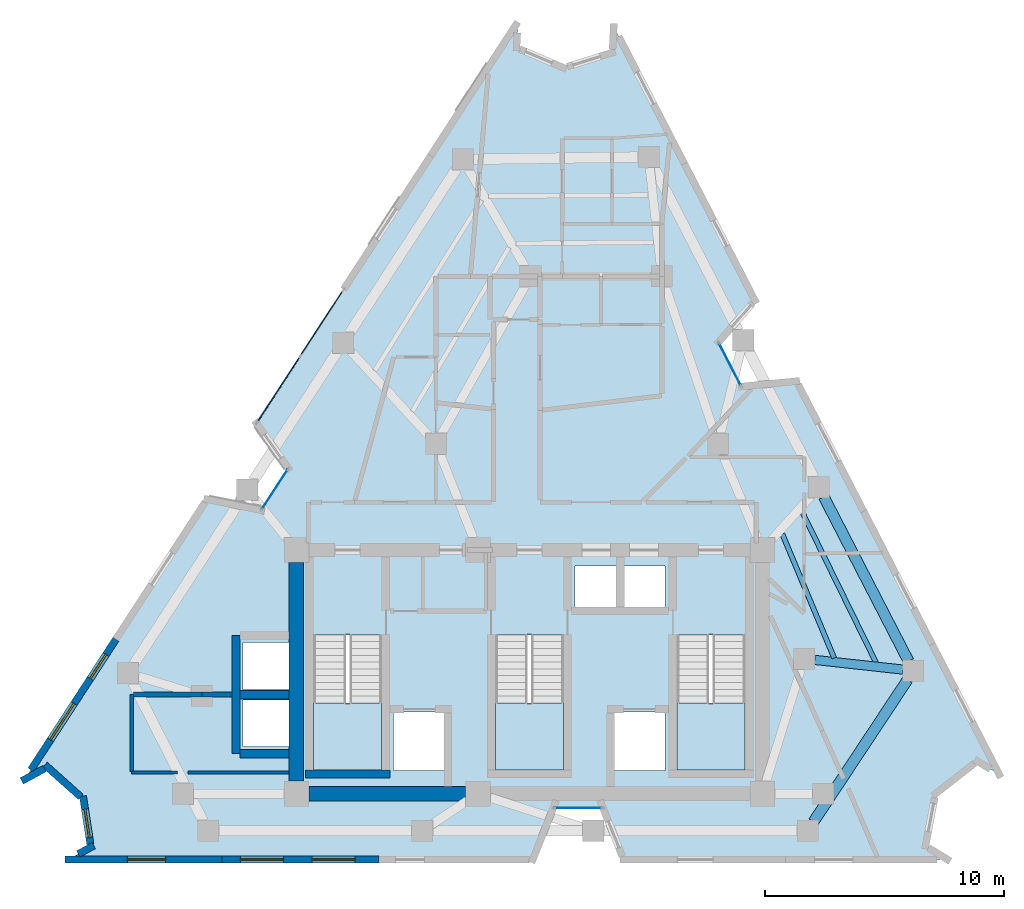
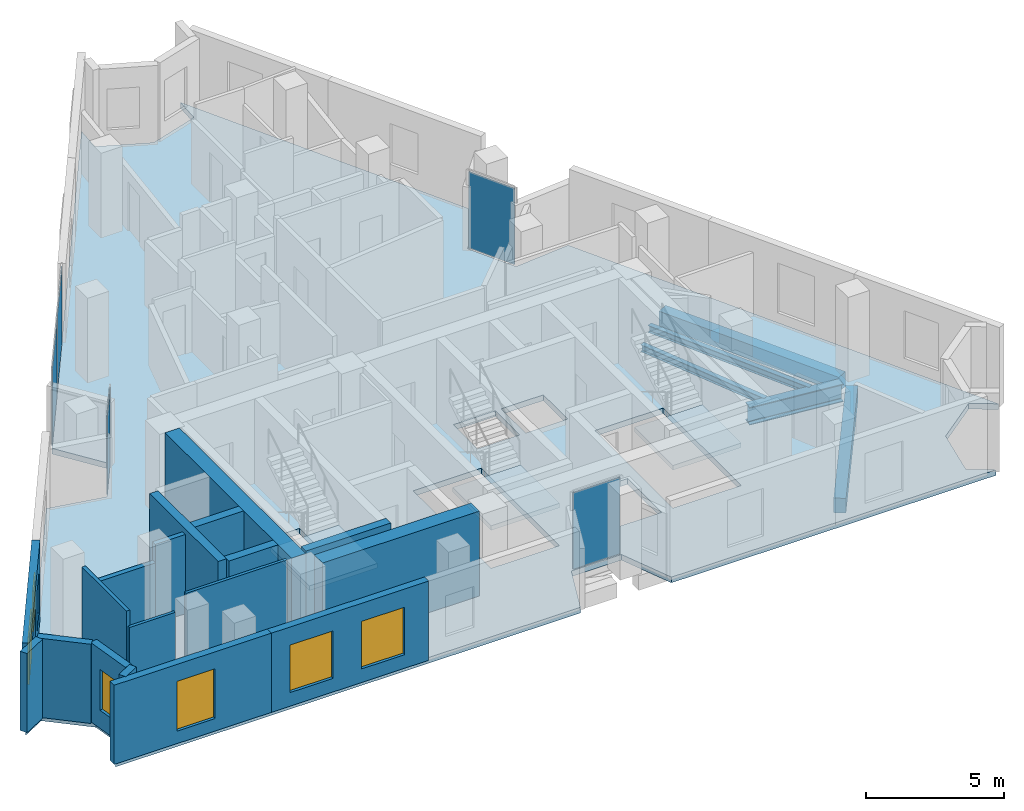
# One storey, part 4 of 9: 18 walls, 6 windows, 5 beams, 5 plates, 4 slabs, 6 openings, 7 elements without a shape of their own.
"""IFC4 building model written with IfcOpenShell, lengths in metres."""

from ifc_helpers import new_model, si_unit, direction, frame, frame_2d, origin, origin_2d, place, context, subcontext, project, spatial, polyline, rectangle, i_section, outline, extrude, material, layer, layer_set, material_profile, profile_set, type_object, element, fill, aggregate, save


model = new_model("IFC4")

# Units and contexts
model_context = context("Model", 3, precision=1e-05, world=origin(), true_north=direction((0.0, 1.0)))
body_context = subcontext(model_context, "Body", "Model", "MODEL_VIEW")
ifc_project = project(units=[si_unit("LENGTHUNIT", "METRE"), si_unit("AREAUNIT", "SQUARE_METRE"), si_unit("VOLUMEUNIT", "CUBIC_METRE"), si_unit("PLANEANGLEUNIT", "RADIAN"), si_unit("MASSUNIT", "GRAM", prefix="KILO")], contexts=[model_context])

# Site, building, storey
site_placement = place(None, origin())
site = spatial("IfcSite", under=ifc_project, at=site_placement, CompositionType="ELEMENT")
building_placement = place(site_placement, origin())
building = spatial("IfcBuilding", under=site, at=building_placement, Name="Almagre Mirador Tower", CompositionType="ELEMENT")
storey_placement = place(building_placement, frame((0.0, 0.0, 214.5)))
storey = spatial("IfcBuildingStorey", under=building, at=storey_placement, Name="L55", CompositionType="ELEMENT", Elevation=214.5)

# Beams
ifc_material_1 = material(Name="Steel ASTM A992 Grade 50", Category="steel")
ifc_material_profile_1 = material_profile(ifc_material_1, i_section(OverallWidth=0.205078125, OverallDepth=0.31005859375, WebThickness=0.009521484375, FlangeThickness=0.016357421875, FilletRadius=0.013916015625, at=origin_2d()), Name="W12X50")
ifc_profile_set_1 = profile_set([ifc_material_profile_1], Name="Steel ASTM A992 Grade 50")
beam_type_1 = type_object("IfcBeamType", Name="BM-JST-W12X50", PredefinedType="JOIST", material=ifc_profile_set_1)
beam_1_placement = place(storey_placement, frame((51.814208984375, 10.032470703125, -0.405029296875), z_axis=(-0.440499526786, 0.897752842881, 0.0), x_axis=(-0.897752842881, -0.440499526786, 0.0)))
element("IfcBeam", 1, at=beam_1_placement, inside=storey, type_object=beam_type_1, Name="L55 secondary floor joist PC05-PC06.1", PredefinedType="JOIST", context=body_context, shape_type="SweptSolid", body=[
    extrude(i_section(OverallWidth=0.205078125, OverallDepth=0.31005859375, WebThickness=0.009521484375, FlangeThickness=0.016357421875, FilletRadius=0.013916015625, at=origin_2d()), origin(), (0.0, 0.0, 1.0), 7.02392578125),
])
beam_2_placement = place(storey_placement, frame((50.056884765625, 10.231201171875, -0.405029296875), z_axis=(-0.38582023775, 0.922573977599, 0.0), x_axis=(-0.922573977599, -0.38582023775, 0.0)))
element("IfcBeam", 2, at=beam_2_placement, inside=storey, type_object=beam_type_1, Name="L55 secondary floor joist PC05-PC06.3", PredefinedType="JOIST", context=body_context, shape_type="SweptSolid", body=[
    extrude(i_section(OverallWidth=0.205078125, OverallDepth=0.31005859375, WebThickness=0.009521484375, FlangeThickness=0.016357421875, FilletRadius=0.013916015625, at=origin_2d()), origin(), (0.0, 0.0, 1.0), 5.624267578125),
])
ifc_material_2 = material(Name="Precast concrete C50/60", Category="concrete")
ifc_material_profile_2 = material_profile(ifc_material_2, rectangle(XDim=0.449951171875, YDim=0.64990234375, at=origin_2d()), Name="RC450X650")
ifc_profile_set_2 = profile_set([ifc_material_profile_2], Name="Precast concrete C50/60")
beam_type_2 = type_object("IfcBeamType", Name="BM-SPN-RC450X650", PredefinedType="SPANDREL", material=ifc_profile_set_2)
beam_3_placement = place(storey_placement, frame((49.1923828125, 3.375244140625, -0.574951171875), z_axis=(0.551908560309, 0.83390463547, 0.0), x_axis=(-0.83390463547, 0.551908560309, 0.0)))
element("IfcBeam", 3, at=beam_3_placement, inside=storey, type_object=beam_type_2, Name="L55 perimeter spandrel beam PC04-PC05", PredefinedType="SPANDREL", context=body_context, shape_type="SweptSolid", body=[
    extrude(rectangle(XDim=0.449951171875, YDim=0.64990234375, at=origin_2d()), origin(), (0.0, 0.0, 1.0), 7.132080078125),
])
beam_4_placement = place(storey_placement, frame((53.1708984375, 10.097900390625, -0.574951171875), z_axis=(-0.45829341544, 0.888800959363, 0.0), x_axis=(-0.888800959363, -0.45829341544, 0.0)))
element("IfcBeam", 4, at=beam_4_placement, inside=storey, type_object=beam_type_2, Name="L55 perimeter spandrel beam PC05-PC06", PredefinedType="SPANDREL", context=body_context, shape_type="SweptSolid", body=[
    extrude(rectangle(XDim=0.449951171875, YDim=0.64990234375, at=origin_2d()), origin(), (0.0, 0.0, 1.0), 7.740966796875),
])
ifc_material_3 = material(Name="Steel ASTM A992 Grade 50", Category="steel")
ifc_material_profile_3 = material_profile(ifc_material_3, i_section(OverallWidth=0.384033203125, OverallDepth=0.784912109375, WebThickness=0.019775390625, FlangeThickness=0.033447265625, FilletRadius=0.02392578125, at=origin_2d()), Name="W30X211")
ifc_profile_set_3 = profile_set([ifc_material_profile_3], Name="Steel ASTM A992 Grade 50")
beam_type_3 = type_object("IfcBeamType", Name="BM-STL-W30X211", PredefinedType="BEAM", material=ifc_profile_set_3)
beam_5_placement = place(storey_placement, frame((52.9296875, 9.7470703125, -0.642578125), z_axis=(-0.994041045224, 0.109006423709, 0.0), x_axis=(-0.109006423709, -0.994041045224, 0.0)))
element("IfcBeam", 5, at=beam_5_placement, inside=storey, type_object=beam_type_3, Name="L55 radial floor girder PC05-MC3", PredefinedType="BEAM", context=body_context, shape_type="SweptSolid", body=[
    extrude(i_section(OverallWidth=0.384033203125, OverallDepth=0.784912109375, WebThickness=0.019775390625, FlangeThickness=0.033447265625, FilletRadius=0.02392578125, at=origin_2d()), origin(), (0.0, 0.0, 1.0), 3.704345703125),
])

# Curtain wall, plate
ifc_material_4 = material(Name="Black anodized aluminium", Category="aluminium")
ifc_layer_1 = layer(ifc_material_4, 0.169921875)
ifc_layer_set_1 = layer_set([ifc_layer_1], Name="Black anodized aluminium")
curtain_wall_type_1 = type_object("IfcCurtainWallType", Name="CW-CRS-SYS", PredefinedType="NOTDEFINED", material=ifc_layer_set_1)
curtain_wall_1_placement = place(storey_placement, origin())
curtain_wall_1 = element("IfcCurtainWall", 6, at=curtain_wall_1_placement, inside=storey, type_object=curtain_wall_type_1, Name="L55 vertical crease curtain wall 01", PredefinedType="NOTDEFINED")
ifc_material_5 = material(Name="Dark solar-control laminated hurricane glass", Category="glass")
ifc_layer_2 = layer(ifc_material_5, 0.028076171875)
ifc_layer_set_2 = layer_set([ifc_layer_2], Name="Dark solar-control laminated hurricane glass")
plate_type_1 = type_object("IfcPlateType", Name="PLT-GLZ-28", PredefinedType="CURTAIN_PANEL", material=ifc_layer_set_2)
plate_1_placement = place(storey_placement, frame((26.65087890625, 17.29150390625, 0.06005859375), z_axis=(0.0, 0.0, 1.0), x_axis=(0.545610640334, 0.838038799313, 0.0)))
plate_1 = element("IfcPlate", 7, at=plate_1_placement, type_object=plate_type_1, Name="CW-4 panel 1.1", PredefinedType="CURTAIN_PANEL", context=body_context, shape_type="SweptSolid", body=[
    extrude(rectangle(XDim=1.969482421875, YDim=0.028076171875, at=origin_2d()), origin(), (0.0, 0.0, 1.0), 3.3798828125),
])
aggregate(curtain_wall_1, [plate_1])

curtain_wall_2_placement = place(storey_placement, origin())
curtain_wall_2 = element("IfcCurtainWall", 8, at=curtain_wall_2_placement, inside=storey, type_object=curtain_wall_type_1, Name="L55 vertical crease curtain wall 03", PredefinedType="NOTDEFINED")
plate_2_placement = place(storey_placement, frame((45.697998046875, 22.51806640625, 0.06005859375), z_axis=(0.0, 0.0, 1.0), x_axis=(0.458277323858, -0.888809256499, 0.0)))
plate_2 = element("IfcPlate", 9, at=plate_2_placement, type_object=plate_type_1, Name="CW-4 panel 1.1", PredefinedType="CURTAIN_PANEL", context=body_context, shape_type="SweptSolid", body=[
    extrude(rectangle(XDim=1.970458984375, YDim=0.028076171875, at=origin_2d()), origin(), (0.0, 0.0, 1.0), 3.3798828125),
])
aggregate(curtain_wall_2, [plate_2])

curtain_wall_3_placement = place(storey_placement, origin())
curtain_wall_3 = element("IfcCurtainWall", 10, at=curtain_wall_3_placement, inside=storey, type_object=curtain_wall_type_1, Name="L55 vertical crease curtain wall 04", PredefinedType="NOTDEFINED")
plate_3_placement = place(storey_placement, frame((39.343994140625, 3.949951171875, 0.06005859375), z_axis=(0.0, 0.0, 1.0), x_axis=(-1.0, 0.0, 0.0)))
plate_3 = element("IfcPlate", 11, at=plate_3_placement, type_object=plate_type_1, Name="CW-4 panel 1.1", PredefinedType="CURTAIN_PANEL", context=body_context, shape_type="SweptSolid", body=[
    extrude(rectangle(XDim=1.969970703125, YDim=0.028076171875, at=origin_2d()), origin(), (0.0, 0.0, 1.0), 3.3798828125),
])
aggregate(curtain_wall_3, [plate_3])

# Curtain wall, plates
ifc_material_6 = material(Name="Black anodized aluminium", Category="aluminium")
ifc_layer_3 = layer(ifc_material_6, 0.199951171875)
ifc_layer_set_3 = layer_set([ifc_layer_3], Name="Black anodized aluminium")
curtain_wall_type_2 = type_object("IfcCurtainWallType", Name="CW-RES-H-SYS", PredefinedType="NOTDEFINED", material=ifc_layer_set_3)
curtain_wall_4_placement = place(storey_placement, origin())
curtain_wall_4 = element("IfcCurtainWall", 12, at=curtain_wall_4_placement, inside=storey, type_object=curtain_wall_type_2, Name="L55 curtain wall run 02", PredefinedType="NOTDEFINED")
ifc_material_7 = material(Name="Dark solar-control laminated hurricane glass", Category="glass")
ifc_layer_4 = layer(ifc_material_7, 0.035888671875)
ifc_layer_set_4 = layer_set([ifc_layer_4], Name="Dark solar-control laminated hurricane glass")
plate_type_2 = type_object("IfcPlateType", Name="PLT-GLZ-36", PredefinedType="CURTAIN_PANEL", material=ifc_layer_set_4)
plate_4_placement = place(storey_placement, frame((26.805908203125, 21.469970703125, 0.06494140625), z_axis=(0.0, 0.0, 1.0), x_axis=(0.545614483846, 0.838036296957, 0.0)))
plate_4 = element("IfcPlate", 13, at=plate_4_placement, type_object=plate_type_2, Name="CW-3 panel 1.1", PredefinedType="CURTAIN_PANEL", context=body_context, shape_type="SweptSolid", body=[
    extrude(rectangle(XDim=3.241943359375, YDim=0.035888671875, at=origin_2d()), origin(), (0.0, 0.0, 1.0), 3.3701171875),
])
plate_5_placement = place(storey_placement, frame((28.610107421875, 24.2412109375, 0.06494140625), z_axis=(0.0, 0.0, 1.0), x_axis=(0.545614483846, 0.838036296957, 0.0)))
plate_5 = element("IfcPlate", 14, at=plate_5_placement, type_object=plate_type_2, Name="CW-3 panel 2.1", PredefinedType="CURTAIN_PANEL", context=body_context, shape_type="SweptSolid", body=[
    extrude(rectangle(XDim=3.241943359375, YDim=0.035888671875, at=origin_2d()), origin(), (0.0, 0.0, 1.0), 3.3701171875),
])
aggregate(curtain_wall_4, [plate_4, plate_5])

# Slab
ifc_material_8 = material(Name="Concrete C45/55", Category="concrete")
ifc_layer_5 = layer(ifc_material_8, 0.25)
ifc_layer_set_5 = layer_set([ifc_layer_5], Name="Concrete C45/55")
slab_type_1 = type_object("IfcSlabType", Name="SLB-FLR-250", PredefinedType="FLOOR", material=ifc_layer_set_5)
slab_1_placement = place(storey_placement, frame((0.0, 0.0, -0.25)))
element("IfcSlab", 15, at=slab_1_placement, inside=storey, type_object=slab_type_1, Name="L55 structural floor slab", PredefinedType="FLOOR", context=body_context, shape_type="SweptSolid", body=[
    extrude(outline(polyline([(16.181884765625, 5.152099609375), (17.132080078125, 5.6669921875), (18.64208984375, 4.31689453125), (18.948974609375, 2.31494140625), (18.0, 1.800048828125), (37.444091796875, 1.800048828125), (38.299072265625, 3.949951171875), (40.388916015625, 3.949951171875), (41.243896484375, 1.800048828125), (54.800048828125, 1.800048828125), (53.8779296875, 2.362060546875), (54.291015625, 4.548095703125), (56.044921875, 5.9169921875), (56.967041015625, 5.35498046875), (48.47998046875, 21.81396484375), (46.177001953125, 21.589111328125), (45.218994140625, 23.447021484375), (46.739013671875, 25.19189453125), (40.8330078125, 36.64501953125), (40.779052734375, 35.56591796875), (38.73291015625, 34.927001953125), (36.762939453125, 35.76904296875), (36.818115234375, 36.847900390625), (25.885986328125, 20.056884765625), (27.220947265625, 18.1669921875), (26.0810546875, 16.416015625), (23.81298828125, 16.8720703125), (16.181884765625, 5.152099609375)]), holes=[polyline([(43.47509765625, 5.550048828125), (43.47509765625, 11.196044921875), (46.324951171875, 11.196044921875), (46.324951171875, 5.550048828125), (43.47509765625, 5.550048828125)]), polyline([(41.219970703125, 12.320068359375), (41.219970703125, 14.080078125), (42.97998046875, 14.080078125), (42.97998046875, 12.320068359375), (41.219970703125, 12.320068359375)]), polyline([(42.97998046875, 5.52001953125), (40.820068359375, 5.52001953125), (40.820068359375, 7.97998046875), (42.97998046875, 7.97998046875), (42.97998046875, 5.52001953125)]), polyline([(39.219970703125, 12.320068359375), (39.219970703125, 14.080078125), (40.97998046875, 14.080078125), (40.97998046875, 12.320068359375), (39.219970703125, 12.320068359375)]), polyline([(35.875, 5.550048828125), (35.875, 11.196044921875), (38.72509765625, 11.196044921875), (38.72509765625, 5.550048828125), (35.875, 5.550048828125)]), polyline([(33.780029296875, 5.52001953125), (31.6201171875, 5.52001953125), (31.6201171875, 7.97998046875), (33.780029296875, 7.97998046875), (33.780029296875, 5.52001953125)]), polyline([(28.27490234375, 5.550048828125), (28.27490234375, 11.196044921875), (31.125, 11.196044921875), (31.125, 5.550048828125), (28.27490234375, 5.550048828125)]), polyline([(27.3798828125, 6.52001953125), (25.320068359375, 6.52001953125), (25.320068359375, 8.47998046875), (27.3798828125, 8.47998046875), (27.3798828125, 6.52001953125)]), polyline([(27.3798828125, 8.919921875), (25.320068359375, 8.919921875), (25.320068359375, 10.8798828125), (27.3798828125, 10.8798828125), (27.3798828125, 8.919921875)])]), origin(), (0.0, 0.0, 1.0), 0.25),
])

# Stair, slab
ifc_material_9 = material(Name="Concrete C45/55", Category="concrete")
stair_type = type_object("IfcStairType", Name="STR-DL-3750", PredefinedType="HALF_TURN_STAIR", material=ifc_material_9)
stair_1_placement = place(storey_placement, origin())
stair_1 = element("IfcStair", 16, at=stair_1_placement, inside=storey, type_object=stair_type, Name="L55 Protected exit stair ST-1", PredefinedType="HALF_TURN_STAIR")
ifc_material_10 = material(Name="Concrete C45/55", Category="concrete")
ifc_layer_6 = layer(ifc_material_10, 0.199951171875)
ifc_layer_set_6 = layer_set([ifc_layer_6], Name="Concrete C45/55")
slab_type_2 = type_object("IfcSlabType", Name="SLB-LND-200", PredefinedType="LANDING", material=ifc_layer_set_6)
slab_2_placement = place(storey_placement, frame((0.0, 0.0, 1.675048828125)))
slab_2 = element("IfcSlab", 17, at=slab_2_placement, type_object=slab_type_2, Name="ST-1 landing 1", PredefinedType="LANDING", context=body_context, shape_type="SweptSolid", body=[
    extrude(outline(polyline([(28.27490234375, 8.35009765625), (28.27490234375, 5.550048828125), (31.125, 5.550048828125), (31.125, 8.35009765625), (28.27490234375, 8.35009765625)])), origin(), (0.0, 0.0, 1.0), 0.199951171875),
])
aggregate(stair_1, [slab_2])

stair_2_placement = place(storey_placement, origin())
stair_2 = element("IfcStair", 18, at=stair_2_placement, inside=storey, type_object=stair_type, Name="L55 Protected exit stair ST-2", PredefinedType="HALF_TURN_STAIR")
slab_3_placement = place(storey_placement, frame((0.0, 0.0, 1.675048828125)))
slab_3 = element("IfcSlab", 19, at=slab_3_placement, type_object=slab_type_2, Name="ST-2 landing 1", PredefinedType="LANDING", context=body_context, shape_type="SweptSolid", body=[
    extrude(outline(polyline([(35.875, 8.35009765625), (35.875, 5.550048828125), (38.72509765625, 5.550048828125), (38.72509765625, 8.35009765625), (35.875, 8.35009765625)])), origin(), (0.0, 0.0, 1.0), 0.199951171875),
])
aggregate(stair_2, [slab_3])

stair_3_placement = place(storey_placement, origin())
stair_3 = element("IfcStair", 20, at=stair_3_placement, inside=storey, type_object=stair_type, Name="L55 Protected exit stair ST-3", PredefinedType="HALF_TURN_STAIR")
slab_4_placement = place(storey_placement, frame((0.0, 0.0, 1.675048828125)))
slab_4 = element("IfcSlab", 21, at=slab_4_placement, type_object=slab_type_2, Name="ST-3 landing 1", PredefinedType="LANDING", context=body_context, shape_type="SweptSolid", body=[
    extrude(outline(polyline([(43.47509765625, 8.35009765625), (43.47509765625, 5.550048828125), (46.324951171875, 5.550048828125), (46.324951171875, 8.35009765625), (43.47509765625, 8.35009765625)])), origin(), (0.0, 0.0, 1.0), 0.199951171875),
])
aggregate(stair_3, [slab_4])

# Wall, openings, windows
ifc_material_11 = material(Name="Precast concrete C50/60", Category="concrete")
ifc_layer_7 = layer(ifc_material_11, 0.300048828125)
ifc_layer_set_7 = layer_set([ifc_layer_7], Name="Precast concrete C50/60")
wall_type_1 = type_object("IfcWallType", Name="WAL-EXT-300", PredefinedType="SOLIDWALL", material=ifc_layer_set_7)
wall_1_placement = place(storey_placement, frame((31.00927734375, 1.800048828125, 0.0), z_axis=(0.0, 0.0, 1.0), x_axis=(-1.0, 0.0, 0.0)))
wall_1 = element("IfcWall", 22, at=wall_1_placement, inside=storey, type_object=wall_type_1, Name="L55 expressed almagre precast frame wall 25", PredefinedType="SOLIDWALL", context=body_context, shape_type="SweptSolid", body=[
    extrude(rectangle(XDim=6.574462890625, YDim=0.300048828125, at=frame_2d((3.287109375, 0.0))), origin(), (0.0, 0.0, 1.0), 3.5),
])
opening_1_placement = place(wall_1_placement, frame((4.0, 0.0, 0.60009765625)))
opening_1 = element("IfcOpeningElement", 23, at=opening_1_placement, cuts=wall_1, Name="Opening WN-01", PredefinedType="OPENING", context=body_context, shape_type="SweptSolid", body=[
    extrude(rectangle(XDim=1.800048828125, YDim=2.10009765625, at=frame_2d((0.89990234375, 1.050048828125))), frame((0.0, 0.159902, 0.0), z_axis=(0.0, -1.0, 0.0), x_axis=(1.0, 0.0, 0.0)), (0.0, 0.0, 1.0), 0.320049),
])
opening_2_placement = place(wall_1_placement, frame((1.0, 0.0, 0.60009765625)))
opening_2 = element("IfcOpeningElement", 24, at=opening_2_placement, cuts=wall_1, Name="Opening WN-01", PredefinedType="OPENING", context=body_context, shape_type="SweptSolid", body=[
    extrude(rectangle(XDim=1.800048828125, YDim=2.10009765625, at=frame_2d((0.89990234375, 1.050048828125))), frame((0.0, 0.159902, 0.0), z_axis=(0.0, -1.0, 0.0), x_axis=(1.0, 0.0, 0.0)), (0.0, 0.0, 1.0), 0.320049),
])
ifc_material_12 = material(Name="Dark solar-control laminated hurricane glass", Category="glass")
window_type_1 = type_object("IfcWindowType", Name="WIN-1800X2100", PartitioningType="DOUBLE_PANEL_VERTICAL", PredefinedType="WINDOW", material=ifc_material_12)
window_1_placement = place(opening_1_placement, origin())
window_1 = element("IfcWindow", 25, at=window_1_placement, inside=storey, type_object=window_type_1, Name="L55 recessed hurricane window L55-UA-LV", OverallHeight=2.10009765625, OverallWidth=1.800048828125, PartitioningType="SINGLE_PANEL", PredefinedType="WINDOW", context=body_context, shape_type="SweptSolid", body=[
    extrude(rectangle(XDim=1.800048828125, YDim=2.10009765625, at=frame_2d((0.89990234375, 1.050048828125))), frame((0.0, 0.030029296875, 0.0), z_axis=(0.0, -1.0, 0.0), x_axis=(1.0, 0.0, 0.0)), (0.0, 0.0, 1.0), 0.06005859375),
])
fill(opening_1, window_1)
window_2_placement = place(opening_2_placement, origin())
window_2 = element("IfcWindow", 26, at=window_2_placement, inside=storey, type_object=window_type_1, Name="L55 recessed hurricane window L55-UA-MB", OverallHeight=2.10009765625, OverallWidth=1.800048828125, PartitioningType="SINGLE_PANEL", PredefinedType="WINDOW", context=body_context, shape_type="SweptSolid", body=[
    extrude(rectangle(XDim=1.800048828125, YDim=2.10009765625, at=frame_2d((0.89990234375, 1.050048828125))), frame((0.0, 0.030029296875, 0.0), z_axis=(0.0, -1.0, 0.0), x_axis=(1.0, 0.0, 0.0)), (0.0, 0.0, 1.0), 0.06005859375),
])
fill(opening_2, window_2)

# Wall, opening, window
wall_2_placement = place(storey_placement, frame((24.434814453125, 1.800048828125, 0.0), z_axis=(0.0, 0.0, 1.0), x_axis=(-1.0, 0.0, 0.0)))
wall_2 = element("IfcWall", 27, at=wall_2_placement, inside=storey, type_object=wall_type_1, Name="L55 expressed almagre precast frame wall 26", PredefinedType="SOLIDWALL", context=body_context, shape_type="SweptSolid", body=[
    extrude(rectangle(XDim=6.57470703125, YDim=0.300048828125, at=frame_2d((3.287353515625, 0.0))), origin(), (0.0, 0.0, 1.0), 3.5),
])
opening_3_placement = place(wall_2_placement, frame((2.35009765625, 0.0, 0.550048828125)))
opening_3 = element("IfcOpeningElement", 28, at=opening_3_placement, cuts=wall_2, Name="Opening WN-06", PredefinedType="OPENING", context=body_context, shape_type="SweptSolid", body=[
    extrude(rectangle(XDim=1.60009765625, YDim=2.199951171875, at=frame_2d((0.800048828125, 1.10009765625))), frame((0.0, 0.159902, 0.0), z_axis=(0.0, -1.0, 0.0), x_axis=(1.0, 0.0, 0.0)), (0.0, 0.0, 1.0), 0.320049),
])
ifc_material_13 = material(Name="Dark solar-control laminated hurricane glass", Category="glass")
window_type_2 = type_object("IfcWindowType", Name="WIN-1600X2200", PartitioningType="DOUBLE_PANEL_VERTICAL", PredefinedType="WINDOW", material=ifc_material_13)
window_3_placement = place(opening_3_placement, origin())
window_3 = element("IfcWindow", 29, at=window_3_placement, inside=storey, type_object=window_type_2, Name="L55 recessed hurricane window L55-UA-LV", OverallHeight=2.199951171875, OverallWidth=1.60009765625, PartitioningType="SINGLE_PANEL", PredefinedType="WINDOW", context=body_context, shape_type="SweptSolid", body=[
    extrude(rectangle(XDim=1.60009765625, YDim=2.199951171875, at=frame_2d((0.800048828125, 1.10009765625))), frame((0.0, 0.030029296875, 0.0), z_axis=(0.0, -1.0, 0.0), x_axis=(1.0, 0.0, 0.0)), (0.0, 0.0, 1.0), 0.06005859375),
])
fill(opening_3, window_3)

# Wall
wall_3_placement = place(storey_placement, frame((18.42626953125, 2.03125, 0.0), z_axis=(0.0, 0.0, 1.0), x_axis=(0.878833528688, 0.47712852446, 0.0)))
element("IfcWall", 30, at=wall_3_placement, inside=storey, type_object=wall_type_1, Name="L55 expressed almagre precast frame wall 27", PredefinedType="SOLIDWALL", context=body_context, shape_type="SweptSolid", body=[
    extrude(rectangle(XDim=0.73486328125, YDim=0.300048828125, at=frame_2d((0.367431640625, 0.0))), origin(), (0.0, 0.0, 1.0), 3.5),
])

# Wall, opening, window
wall_4_placement = place(storey_placement, frame((18.928466796875, 2.448486328125, 0.0), z_axis=(0.0, 0.0, 1.0), x_axis=(-0.151514993769, 0.98845495935, 0.0)))
wall_4 = element("IfcWall", 31, at=wall_4_placement, inside=storey, type_object=wall_type_1, Name="L55 expressed almagre precast frame wall 28", PredefinedType="SOLIDWALL", context=body_context, shape_type="SweptSolid", body=[
    extrude(rectangle(XDim=2.0302734375, YDim=0.300048828125, at=frame_2d((1.01513671875, 0.0))), origin(), (0.0, 0.0, 1.0), 3.5),
])
opening_4_placement = place(wall_4_placement, frame((0.27490234375, 0.0, 0.800048828125)))
opening_4 = element("IfcOpeningElement", 32, at=opening_4_placement, cuts=wall_4, Name="Opening WN-04", PredefinedType="OPENING", context=body_context, shape_type="SweptSolid", body=[
    extrude(rectangle(XDim=1.199951171875, YDim=1.800048828125, at=frame_2d((0.60009765625, 0.89990234375))), frame((0.0, 0.159902, 0.0), z_axis=(0.0, -1.0, 0.0), x_axis=(1.0, 0.0, 0.0)), (0.0, 0.0, 1.0), 0.320049),
])
ifc_material_14 = material(Name="Dark solar-control laminated hurricane glass", Category="glass")
window_type_3 = type_object("IfcWindowType", Name="WIN-1200X1800", PartitioningType="SINGLE_PANEL", PredefinedType="WINDOW", material=ifc_material_14)
window_4_placement = place(opening_4_placement, origin())
window_4 = element("IfcWindow", 33, at=window_4_placement, inside=storey, type_object=window_type_3, Name="L55 recessed hurricane window L55-UA-LV", OverallHeight=1.800048828125, OverallWidth=1.199951171875, PartitioningType="SINGLE_PANEL", PredefinedType="WINDOW", context=body_context, shape_type="SweptSolid", body=[
    extrude(rectangle(XDim=1.199951171875, YDim=1.800048828125, at=frame_2d((0.60009765625, 0.89990234375))), frame((0.0, 0.030029296875, 0.0), z_axis=(0.0, -1.0, 0.0), x_axis=(1.0, 0.0, 0.0)), (0.0, 0.0, 1.0), 0.06005859375),
])
fill(opening_4, window_4)

# Walls
wall_5_placement = place(storey_placement, frame((18.5302734375, 4.4169921875, 0.0), z_axis=(0.0, 0.0, 1.0), x_axis=(-0.745548529149, 0.666451341572, 0.0)))
element("IfcWall", 34, at=wall_5_placement, inside=storey, type_object=wall_type_1, Name="L55 expressed almagre precast frame wall 29", PredefinedType="SOLIDWALL", context=body_context, shape_type="SweptSolid", body=[
    extrude(rectangle(XDim=2.015625, YDim=0.300048828125, at=frame_2d((1.0078125, 0.0))), origin(), (0.0, 0.0, 1.0), 3.5),
])
wall_6_placement = place(storey_placement, frame((17.01318359375, 5.602783203125, 0.0), z_axis=(0.0, 0.0, 1.0), x_axis=(-0.879044634191, -0.476739479275, 0.0)))
element("IfcWall", 35, at=wall_6_placement, inside=storey, type_object=wall_type_1, Name="L55 expressed almagre precast frame wall 30", PredefinedType="SOLIDWALL", context=body_context, shape_type="SweptSolid", body=[
    extrude(rectangle(XDim=1.085693359375, YDim=0.300048828125, at=frame_2d((0.54296875, 0.0))), origin(), (0.0, 0.0, 1.0), 3.5),
])

# Wall, openings, windows
wall_7_placement = place(storey_placement, frame((16.441162109375, 5.550048828125, 0.0), z_axis=(0.0, 0.0, 1.0), x_axis=(0.545651760549, 0.838012026292, 0.0)))
wall_7 = element("IfcWall", 36, at=wall_7_placement, inside=storey, type_object=wall_type_1, Name="L55 expressed almagre precast frame wall 31", PredefinedType="SOLIDWALL", context=body_context, shape_type="SweptSolid", body=[
    extrude(rectangle(XDim=6.517822265625, YDim=0.300048828125, at=frame_2d((3.2587890625, 0.0))), origin(), (0.0, 0.0, 1.0), 3.5),
])
opening_5_placement = place(wall_7_placement, frame((1.510009765625, 0.0, 0.60009765625)))
opening_5 = element("IfcOpeningElement", 37, at=opening_5_placement, cuts=wall_7, Name="Opening WN-01", PredefinedType="OPENING", context=body_context, shape_type="SweptSolid", body=[
    extrude(rectangle(XDim=1.800048828125, YDim=2.10009765625, at=frame_2d((0.89990234375, 1.050048828125))), frame((0.0, 0.159902, 0.0), z_axis=(0.0, -1.0, 0.0), x_axis=(1.0, 0.0, 0.0)), (0.0, 0.0, 1.0), 0.320049),
])
opening_6_placement = place(wall_7_placement, frame((4.56005859375, 0.0, 0.800048828125)))
opening_6 = element("IfcOpeningElement", 38, at=opening_6_placement, cuts=wall_7, Name="Opening WN-04", PredefinedType="OPENING", context=body_context, shape_type="SweptSolid", body=[
    extrude(rectangle(XDim=1.199951171875, YDim=1.800048828125, at=frame_2d((0.60009765625, 0.89990234375))), frame((0.0, 0.159902, 0.0), z_axis=(0.0, -1.0, 0.0), x_axis=(1.0, 0.0, 0.0)), (0.0, 0.0, 1.0), 0.320049),
])
window_5_placement = place(opening_6_placement, origin())
window_5 = element("IfcWindow", 39, at=window_5_placement, inside=storey, type_object=window_type_3, Name="L55 recessed hurricane window L55-UD-ST", OverallHeight=1.800048828125, OverallWidth=1.199951171875, PartitioningType="SINGLE_PANEL", PredefinedType="WINDOW", context=body_context, shape_type="SweptSolid", body=[
    extrude(rectangle(XDim=1.199951171875, YDim=1.800048828125, at=frame_2d((0.60009765625, 0.89990234375))), frame((0.0, 0.030029296875, 0.0), z_axis=(0.0, -1.0, 0.0), x_axis=(1.0, 0.0, 0.0)), (0.0, 0.0, 1.0), 0.06005859375),
])
fill(opening_6, window_5)
window_6_placement = place(opening_5_placement, origin())
window_6 = element("IfcWindow", 40, at=window_6_placement, inside=storey, type_object=window_type_1, Name="L55 recessed hurricane window L55-UA-HB", OverallHeight=2.10009765625, OverallWidth=1.800048828125, PartitioningType="SINGLE_PANEL", PredefinedType="WINDOW", context=body_context, shape_type="SweptSolid", body=[
    extrude(rectangle(XDim=1.800048828125, YDim=2.10009765625, at=frame_2d((0.89990234375, 1.050048828125))), frame((0.0, 0.030029296875, 0.0), z_axis=(0.0, -1.0, 0.0), x_axis=(1.0, 0.0, 0.0)), (0.0, 0.0, 1.0), 0.06005859375),
])
fill(opening_5, window_6)

# Walls
ifc_material_15 = material(Name="Gypsum acoustic stud partition", Category="other")
ifc_layer_8 = layer(ifc_material_15, 0.125)
ifc_layer_set_8 = layer_set([ifc_layer_8], Name="Gypsum acoustic stud partition")
wall_type_2 = type_object("IfcWallType", Name="WAL-PRT-125-UTL", PredefinedType="PARTITIONING", material=ifc_layer_set_8)
wall_8_placement = place(storey_placement, frame((22.580078125, 5.429931640625, 0.0), z_axis=(0.0, 0.0, 1.0), x_axis=(-1.0, 0.0, 0.0)))
element("IfcWall", 41, at=wall_8_placement, inside=storey, type_object=wall_type_2, Name="L55 interior partition 016", PredefinedType="PARTITIONING", context=body_context, shape_type="SweptSolid", body=[
    extrude(rectangle(XDim=1.920166015625, YDim=0.125, at=frame_2d((0.9599609375, 0.0))), origin(), (0.0, 0.0, 1.0), 2.820068359375),
])
wall_9_placement = place(storey_placement, frame((27.25, 5.429931640625, 0.0), z_axis=(0.0, 0.0, 1.0), x_axis=(-1.0, 0.0, 0.0)))
element("IfcWall", 42, at=wall_9_placement, inside=storey, type_object=wall_type_2, Name="L55 interior partition 017", PredefinedType="PARTITIONING", context=body_context, shape_type="SweptSolid", body=[
    extrude(rectangle(XDim=4.22998046875, YDim=0.125, at=frame_2d((2.114990234375, 0.0))), origin(), (0.0, 0.0, 1.0), 3.5),
])
ifc_material_16 = material(Name="Gypsum acoustic stud partition", Category="other")
ifc_layer_9 = layer(ifc_material_16, 0.14990234375)
ifc_layer_set_9 = layer_set([ifc_layer_9], Name="Gypsum acoustic stud partition")
wall_type_3 = type_object("IfcWallType", Name="WAL-PRT-150-STD", PredefinedType="PARTITIONING", material=ifc_layer_set_9)
wall_10_placement = place(storey_placement, frame((20.659912109375, 5.4775390625, 0.0), z_axis=(0.0, 0.0, 1.0), x_axis=(0.0, 1.0, 0.0)))
element("IfcWall", 43, at=wall_10_placement, inside=storey, type_object=wall_type_3, Name="L55 interior partition 019", PredefinedType="PARTITIONING", context=body_context, shape_type="SweptSolid", body=[
    extrude(rectangle(XDim=3.222412109375, YDim=0.14990234375, at=frame_2d((1.611328125, 0.0))), origin(), (0.0, 0.0, 1.0), 3.5),
])
ifc_material_17 = material(Name="Gypsum acoustic stud partition", Category="other")
ifc_layer_10 = layer(ifc_material_17, 0.199951171875)
ifc_layer_set_10 = layer_set([ifc_layer_10], Name="Gypsum acoustic stud partition")
wall_type_4 = type_object("IfcWallType", Name="WAL-PRT-200-EI60", PredefinedType="PARTITIONING", material=ifc_layer_set_10)
wall_11_placement = place(storey_placement, frame((23.60009765625, 8.699951171875, 0.0), z_axis=(0.0, 0.0, 1.0), x_axis=(-1.0, 0.0, 0.0)))
element("IfcWall", 44, at=wall_11_placement, inside=storey, type_object=wall_type_4, Name="L55 interior partition 022", PredefinedType="PARTITIONING", context=body_context, shape_type="SweptSolid", body=[
    extrude(rectangle(XDim=2.8701171875, YDim=0.199951171875, at=frame_2d((1.43505859375, 0.0))), origin(), (0.0, 0.0, 1.0), 2.68505859375),
])
wall_12_placement = place(storey_placement, frame((24.864990234375, 8.699951171875, 0.0), z_axis=(0.0, 0.0, 1.0), x_axis=(-1.0, 0.0, 0.0)))
element("IfcWall", 45, at=wall_12_placement, inside=storey, type_object=wall_type_4, Name="L55 interior partition 023", PredefinedType="PARTITIONING", context=body_context, shape_type="SweptSolid", body=[
    extrude(rectangle(XDim=1.264892578125, YDim=0.199951171875, at=frame_2d((0.63232421875, 0.0))), origin(), (0.0, 0.0, 1.0), 3.5),
])
ifc_material_18 = material(Name="Concrete C60/75", Category="concrete")
ifc_layer_11 = layer(ifc_material_18, 0.35009765625)
ifc_layer_set_11 = layer_set([ifc_layer_11], Name="Concrete C60/75")
wall_type_5 = type_object("IfcWallType", Name="WAL-SHF-350", PredefinedType="SOLIDWALL", material=ifc_layer_set_11)
wall_13_placement = place(storey_placement, frame((27.925048828125, 5.375, 0.0), z_axis=(0.0, 0.0, 1.0), x_axis=(1.0, 0.0, 0.0)))
element("IfcWall", 46, at=wall_13_placement, inside=storey, type_object=wall_type_5, Name="L55 shaft wall ST1-S", PredefinedType="SOLIDWALL", context=body_context, shape_type="SweptSolid", body=[
    extrude(rectangle(XDim=3.550048828125, YDim=0.35009765625, at=frame_2d((1.77490234375, 0.0))), origin(), (0.0, 0.0, 1.0), 3.75),
])
wall_14_placement = place(storey_placement, frame((25.02490234375, 6.22509765625, 0.0), z_axis=(0.0, 0.0, 1.0), x_axis=(0.0, 1.0, 0.0)))
element("IfcWall", 47, at=wall_14_placement, inside=storey, type_object=wall_type_5, Name="L55 shaft wall OL-W", PredefinedType="SOLIDWALL", context=body_context, shape_type="SweptSolid", body=[
    extrude(rectangle(XDim=4.949951171875, YDim=0.35009765625, at=frame_2d((2.47509765625, 0.0))), origin(), (0.0, 0.0, 1.0), 3.75),
])
for number, where, z_axis, x_axis, name in (
    (48, (25.199951171875, 6.22509765625, 0.0), (0.0, 0.0, 1.0), (1.0, 0.0, 0.0), "L55 shaft wall OL-S"),
    (49, (25.199951171875, 8.699951171875, 0.0), (0.0, 0.0, 1.0), (1.0, 0.0, 0.0), "L55 shaft wall OL-M"),
):
    element("IfcWall", number, at=place(storey_placement, frame(where, z_axis=z_axis, x_axis=x_axis)), inside=storey, type_object=wall_type_5, Name=name, PredefinedType="SOLIDWALL", context=body_context, shape_type="SweptSolid", body=[
        extrude(rectangle(XDim=2.050048828125, YDim=0.35009765625, at=frame_2d((1.02490234375, 0.0))), origin(), (0.0, 0.0, 1.0), 3.75),
    ])
ifc_material_19 = material(Name="Concrete C60/75", Category="concrete")
ifc_layer_12 = layer(ifc_material_19, 0.60009765625)
ifc_layer_set_12 = layer_set([ifc_layer_12], Name="Concrete C60/75")
wall_type_6 = type_object("IfcWallType", Name="WAL-SHR-600", PredefinedType="SHEAR", material=ifc_layer_set_12)
wall_15_placement = place(storey_placement, frame((28.074951171875, 4.550048828125, 0.0), z_axis=(0.0, 0.0, 1.0), x_axis=(1.0, 0.0, 0.0)))
element("IfcWall", 50, at=wall_15_placement, inside=storey, type_object=wall_type_6, Name="L55 core shear wall S1", PredefinedType="SHEAR", context=body_context, shape_type="SweptSolid", body=[
    extrude(rectangle(XDim=6.550048828125, YDim=0.60009765625, at=frame_2d((3.27490234375, 0.0))), origin(), (0.0, 0.0, 1.0), 3.75),
])
wall_16_placement = place(storey_placement, frame((27.550048828125, 5.074951171875, 0.0), z_axis=(0.0, 0.0, 1.0), x_axis=(0.0, 1.0, 0.0)))
element("IfcWall", 51, at=wall_16_placement, inside=storey, type_object=wall_type_6, Name="L55 core shear wall W1", PredefinedType="SHEAR", context=body_context, shape_type="SweptSolid", body=[
    extrude(rectangle(XDim=9.150146484375, YDim=0.60009765625, at=frame_2d((4.5751953125, 0.0))), origin(), (0.0, 0.0, 1.0), 3.75),
])

save(model, "model.ifc")
